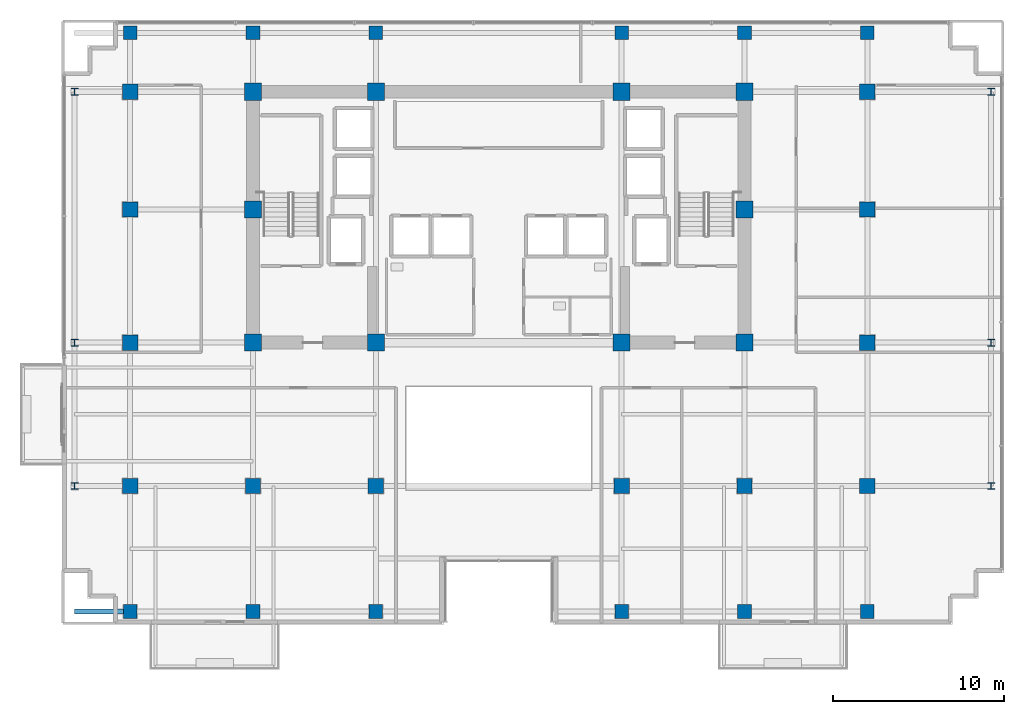
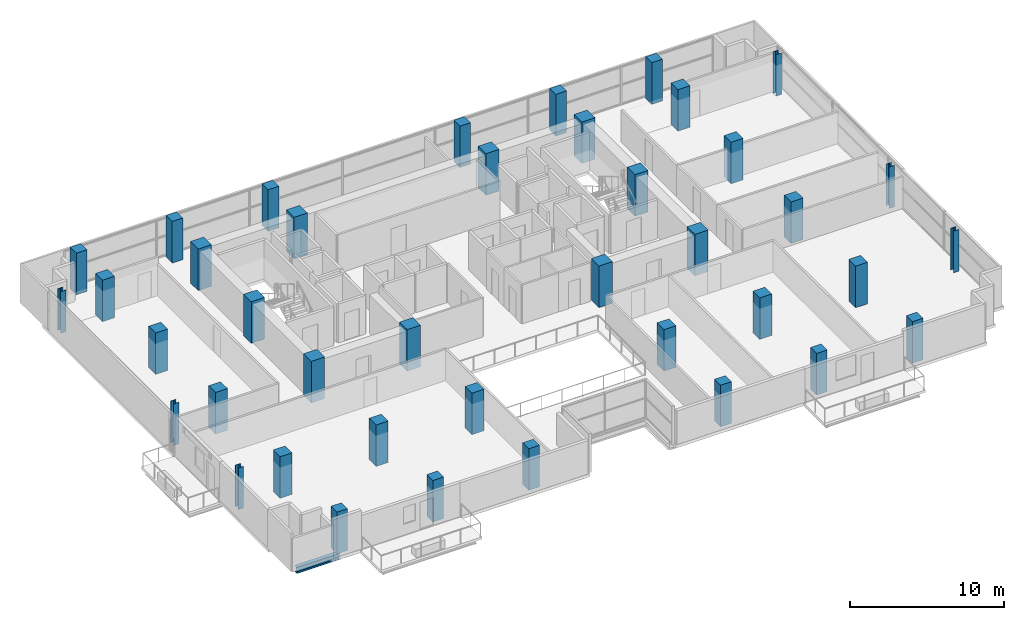
# One storey, part 1 of 23: 40 columns, 1 beam.
"""IFC4 building model written with IfcOpenShell, lengths in metres."""

from ifc_helpers import new_model, si_unit, direction, frame, origin, origin_2d, place, context, subcontext, project, spatial, rectangle, i_section, extrude, material, material_profile, profile_set, type_object, element, save


model = new_model("IFC4")

# Units and contexts
model_context = context("Model", 3, precision=1e-05, world=origin(), true_north=direction((0.0, 1.0)))
body_context = subcontext(model_context, "Body", "Model", "MODEL_VIEW")
ifc_project = project(units=[si_unit("LENGTHUNIT", "METRE"), si_unit("AREAUNIT", "SQUARE_METRE"), si_unit("VOLUMEUNIT", "CUBIC_METRE"), si_unit("PLANEANGLEUNIT", "RADIAN"), si_unit("MASSUNIT", "GRAM", prefix="KILO")], contexts=[model_context])

# Site, building, storey
site_placement = place(None, origin())
site = spatial("IfcSite", under=ifc_project, at=site_placement, CompositionType="ELEMENT")
building_placement = place(site_placement, origin())
building = spatial("IfcBuilding", under=site, at=building_placement, Name="Zarnakvel Exchange Tower", CompositionType="ELEMENT")
storey_placement = place(building_placement, frame((0.0, 0.0, 123.10009765625)))
storey = spatial("IfcBuildingStorey", under=building, at=storey_placement, Name="L34", CompositionType="ELEMENT", Elevation=123.10009765625)

# Columns
ifc_material_1 = material(Name="Concrete C60/75", Category="concrete")
ifc_material_profile_1 = material_profile(ifc_material_1, rectangle(XDim=1.0, YDim=1.0, at=origin_2d()))
ifc_profile_set_1 = profile_set([ifc_material_profile_1], Name="Concrete C60/75")
column_type_1 = type_object("IfcColumnType", Name="CC-02", PredefinedType="COLUMN", material=ifc_profile_set_1)
for number, where, z_axis, x_axis, name in (
    (1, (-14.39990234375, -1.199951171875, 0.0), (0.0, 0.0, 1.0), (1.0, 0.0, 0.0), "L34 Column C-4D (CC-02)"),
    (2, (-7.199951171875, -1.199951171875, 0.0), (0.0, 0.0, 1.0), (1.0, 0.0, 0.0), "L34 Column C-5D (CC-02)"),
    (3, (7.199951171875, -1.199951171875, 0.0), (0.0, 0.0, 1.0), (1.0, 0.0, 0.0), "L34 Column C-8D (CC-02)"),
    (4, (14.39990234375, -1.199951171875, 0.0), (0.0, 0.0, 1.0), (1.0, 0.0, 0.0), "L34 Column C-9D (CC-02)"),
    (5, (-14.39990234375, 6.60009765625, 0.0), (0.0, 0.0, 1.0), (1.0, 0.0, 0.0), "L34 Column C-4E (CC-02)"),
    (6, (14.39990234375, 6.60009765625, 0.0), (0.0, 0.0, 1.0), (1.0, 0.0, 0.0), "L34 Column C-9E (CC-02)"),
    (7, (-14.39990234375, 13.5, 0.0), (0.0, 0.0, 1.0), (1.0, 0.0, 0.0), "L34 Column C-4F (CC-02)"),
    (8, (-7.199951171875, 13.5, 0.0), (0.0, 0.0, 1.0), (1.0, 0.0, 0.0), "L34 Column C-5F (CC-02)"),
    (9, (7.199951171875, 13.5, 0.0), (0.0, 0.0, 1.0), (1.0, 0.0, 0.0), "L34 Column C-8F (CC-02)"),
    (10, (14.39990234375, 13.5, 0.0), (0.0, 0.0, 1.0), (1.0, 0.0, 0.0), "L34 Column C-9F (CC-02)"),
):
    element("IfcColumn", number, at=place(storey_placement, frame(where, z_axis=z_axis, x_axis=x_axis)), inside=storey, type_object=column_type_1, Name=name, PredefinedType="COLUMN", context=body_context, shape_type="SweptSolid", body=[
        extrude(rectangle(XDim=1.0, YDim=1.0, at=origin_2d()), origin(), (0.0, 0.0, 1.0), 3.2998046875),
    ])
ifc_material_2 = material(Name="Steel S355", Category="steel")
ifc_material_profile_2 = material_profile(ifc_material_2, i_section(OverallWidth=0.404052734375, OverallDepth=0.406982421875, WebThickness=0.0224609375, FlangeThickness=0.031982421875, FilletRadius=0.014892578125, at=origin_2d()))
ifc_profile_set_2 = profile_set([ifc_material_profile_2], Name="Steel S355")
column_type_2 = type_object("IfcColumnType", Name="SC-02", PredefinedType="COLUMN", material=ifc_profile_set_2)
for number, where, z_axis, x_axis, name in (
    (11, (-24.85009765625, -9.60009765625, 0.0), (0.0, 0.0, 1.0), (1.0, 0.0, 0.0), "L34 Column TW-C (SC-02)"),
    (12, (28.85009765625, -9.60009765625, 0.0), (0.0, 0.0, 1.0), (1.0, 0.0, 0.0), "L34 Column TE-C (SC-02)"),
    (13, (-24.85009765625, -1.199951171875, 0.0), (0.0, 0.0, 1.0), (1.0, 0.0, 0.0), "L34 Column TW-D (SC-02)"),
    (14, (28.85009765625, -1.199951171875, 0.0), (0.0, 0.0, 1.0), (1.0, 0.0, 0.0), "L34 Column TE-D (SC-02)"),
    (15, (-24.85009765625, 13.5, 0.0), (0.0, 0.0, 1.0), (1.0, 0.0, 0.0), "L34 Column TW-F (SC-02)"),
    (16, (28.85009765625, 13.5, 0.0), (0.0, 0.0, 1.0), (1.0, 0.0, 0.0), "L34 Column TE-F (SC-02)"),
):
    element("IfcColumn", number, at=place(storey_placement, frame(where, z_axis=z_axis, x_axis=x_axis)), inside=storey, type_object=column_type_2, Name=name, PredefinedType="COLUMN", context=body_context, shape_type="SweptSolid", body=[
        extrude(i_section(OverallWidth=0.404052734375, OverallDepth=0.406982421875, WebThickness=0.0224609375, FlangeThickness=0.031982421875, FilletRadius=0.014892578125, at=origin_2d()), origin(), (0.0, 0.0, 1.0), 3.2998046875),
    ])
ifc_material_profile_3 = material_profile(ifc_material_1, rectangle(XDim=0.89990234375, YDim=0.89990234375, at=origin_2d()))
ifc_profile_set_3 = profile_set([ifc_material_profile_3], Name="Concrete C60/75")
column_type_3 = type_object("IfcColumnType", Name="TC-02", PredefinedType="COLUMN", material=ifc_profile_set_3)
for number, where, z_axis, x_axis, name in (
    (17, (-14.39990234375, -9.60009765625, 0.0), (0.0, 0.0, 1.0), (1.0, 0.0, 0.0), "L34 Column T-4C (TC-02)"),
    (18, (-7.199951171875, -9.60009765625, 0.0), (0.0, 0.0, 1.0), (1.0, 0.0, 0.0), "L34 Column T-5C (TC-02)"),
    (19, (7.199951171875, -9.60009765625, 0.0), (0.0, 0.0, 1.0), (1.0, 0.0, 0.0), "L34 Column T-8C (TC-02)"),
    (20, (14.39990234375, -9.60009765625, 0.0), (0.0, 0.0, 1.0), (1.0, 0.0, 0.0), "L34 Column T-9C (TC-02)"),
    (21, (-21.60009765625, -9.60009765625, 0.0), (0.0, 0.0, 1.0), (1.0, 0.0, 0.0), "L34 Column T-3C (TC-02)"),
    (22, (-21.60009765625, -1.199951171875, 0.0), (0.0, 0.0, 1.0), (1.0, 0.0, 0.0), "L34 Column T-3D (TC-02)"),
    (23, (-21.60009765625, 6.60009765625, 0.0), (0.0, 0.0, 1.0), (1.0, 0.0, 0.0), "L34 Column T-3E (TC-02)"),
    (24, (-21.60009765625, 13.5, 0.0), (0.0, 0.0, 1.0), (1.0, 0.0, 0.0), "L34 Column T-3F (TC-02)"),
    (25, (21.60009765625, -9.60009765625, 0.0), (0.0, 0.0, 1.0), (1.0, 0.0, 0.0), "L34 Column T-10C (TC-02)"),
    (26, (21.60009765625, -1.199951171875, 0.0), (0.0, 0.0, 1.0), (1.0, 0.0, 0.0), "L34 Column T-10D (TC-02)"),
    (27, (21.60009765625, 6.60009765625, 0.0), (0.0, 0.0, 1.0), (1.0, 0.0, 0.0), "L34 Column T-10E (TC-02)"),
    (28, (21.60009765625, 13.5, 0.0), (0.0, 0.0, 1.0), (1.0, 0.0, 0.0), "L34 Column T-10F (TC-02)"),
):
    element("IfcColumn", number, at=place(storey_placement, frame(where, z_axis=z_axis, x_axis=x_axis)), inside=storey, type_object=column_type_3, Name=name, PredefinedType="COLUMN", context=body_context, shape_type="SweptSolid", body=[
        extrude(rectangle(XDim=0.89990234375, YDim=0.89990234375, at=origin_2d()), origin(), (0.0, 0.0, 1.0), 3.2998046875),
    ])
ifc_material_profile_4 = material_profile(ifc_material_1, rectangle(XDim=0.800048828125, YDim=0.800048828125, at=origin_2d()))
ifc_profile_set_4 = profile_set([ifc_material_profile_4], Name="Concrete C60/75")
column_type_4 = type_object("IfcColumnType", Name="TC-03", PredefinedType="COLUMN", material=ifc_profile_set_4)
for number, where, z_axis, x_axis, name in (
    (29, (-14.39990234375, -16.949951171875, 0.0), (0.0, 0.0, 1.0), (1.0, 0.0, 0.0), "L34 Column TS-4 (TC-03)"),
    (30, (-14.39990234375, 16.949951171875, 0.0), (0.0, 0.0, 1.0), (1.0, 0.0, 0.0), "L34 Column TN-4 (TC-03)"),
    (31, (-7.199951171875, -16.949951171875, 0.0), (0.0, 0.0, 1.0), (1.0, 0.0, 0.0), "L34 Column TS-5 (TC-03)"),
    (32, (-7.199951171875, 16.949951171875, 0.0), (0.0, 0.0, 1.0), (1.0, 0.0, 0.0), "L34 Column TN-5 (TC-03)"),
    (33, (7.199951171875, -16.949951171875, 0.0), (0.0, 0.0, 1.0), (1.0, 0.0, 0.0), "L34 Column TS-8 (TC-03)"),
    (34, (7.199951171875, 16.949951171875, 0.0), (0.0, 0.0, 1.0), (1.0, 0.0, 0.0), "L34 Column TN-8 (TC-03)"),
    (35, (14.39990234375, -16.949951171875, 0.0), (0.0, 0.0, 1.0), (1.0, 0.0, 0.0), "L34 Column TS-9 (TC-03)"),
    (36, (14.39990234375, 16.949951171875, 0.0), (0.0, 0.0, 1.0), (1.0, 0.0, 0.0), "L34 Column TN-9 (TC-03)"),
    (37, (-21.60009765625, -16.949951171875, 0.0), (0.0, 0.0, 1.0), (1.0, 0.0, 0.0), "L34 Column TS-3 (TC-03)"),
    (38, (-21.60009765625, 16.949951171875, 0.0), (0.0, 0.0, 1.0), (1.0, 0.0, 0.0), "L34 Column TN-3 (TC-03)"),
    (39, (21.60009765625, -16.949951171875, 0.0), (0.0, 0.0, 1.0), (1.0, 0.0, 0.0), "L34 Column TS-10 (TC-03)"),
    (40, (21.60009765625, 16.949951171875, 0.0), (0.0, 0.0, 1.0), (1.0, 0.0, 0.0), "L34 Column TN-10 (TC-03)"),
):
    element("IfcColumn", number, at=place(storey_placement, frame(where, z_axis=z_axis, x_axis=x_axis)), inside=storey, type_object=column_type_4, Name=name, PredefinedType="COLUMN", context=body_context, shape_type="SweptSolid", body=[
        extrude(rectangle(XDim=0.800048828125, YDim=0.800048828125, at=origin_2d()), origin(), (0.0, 0.0, 1.0), 3.2998046875),
    ])

# Beam
ifc_material_profile_5 = material_profile(ifc_material_2, i_section(OverallWidth=0.300048828125, OverallDepth=0.5, WebThickness=0.014404296875, FlangeThickness=0.028076171875, FilletRadius=0.027099609375, at=origin_2d()))
ifc_profile_set_5 = profile_set([ifc_material_profile_5], Name="Steel S355")
beam_type = type_object("IfcBeamType", Name="SP-02", PredefinedType="SPANDREL", material=ifc_profile_set_5)
beam_placement = place(storey_placement, frame((-24.85009765625, -16.949951171875, -0.47509765625), z_axis=(1.0, 0.0, 0.0), x_axis=(0.0, 1.0, 0.0)))
element("IfcBeam", 41, at=beam_placement, inside=storey, type_object=beam_type, Name="L34 South-West Corner Spandrel", PredefinedType="SPANDREL", context=body_context, shape_type="SweptSolid", body=[
    extrude(i_section(OverallWidth=0.300048828125, OverallDepth=0.5, WebThickness=0.014404296875, FlangeThickness=0.028076171875, FilletRadius=0.027099609375, at=origin_2d()), origin(), (0.0, 0.0, 1.0), 3.25),
])

save(model, "model.ifc")
